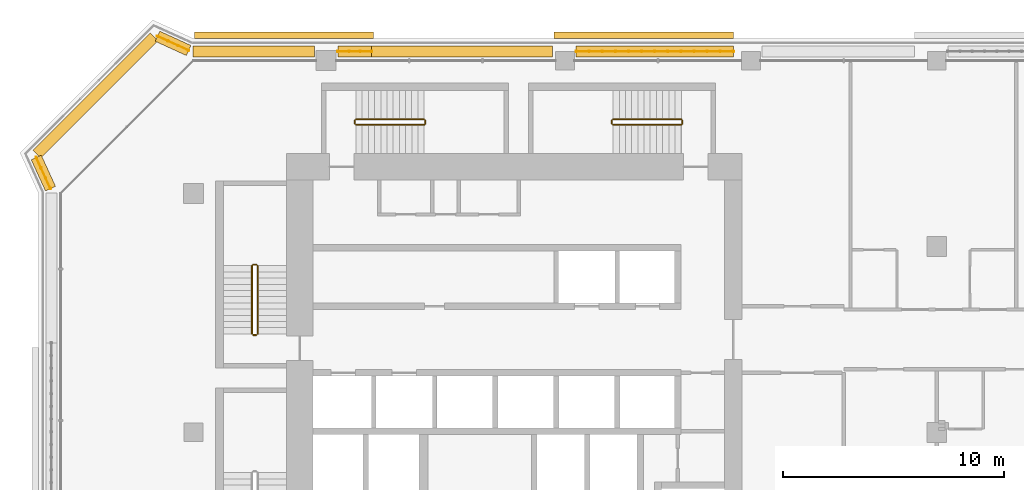
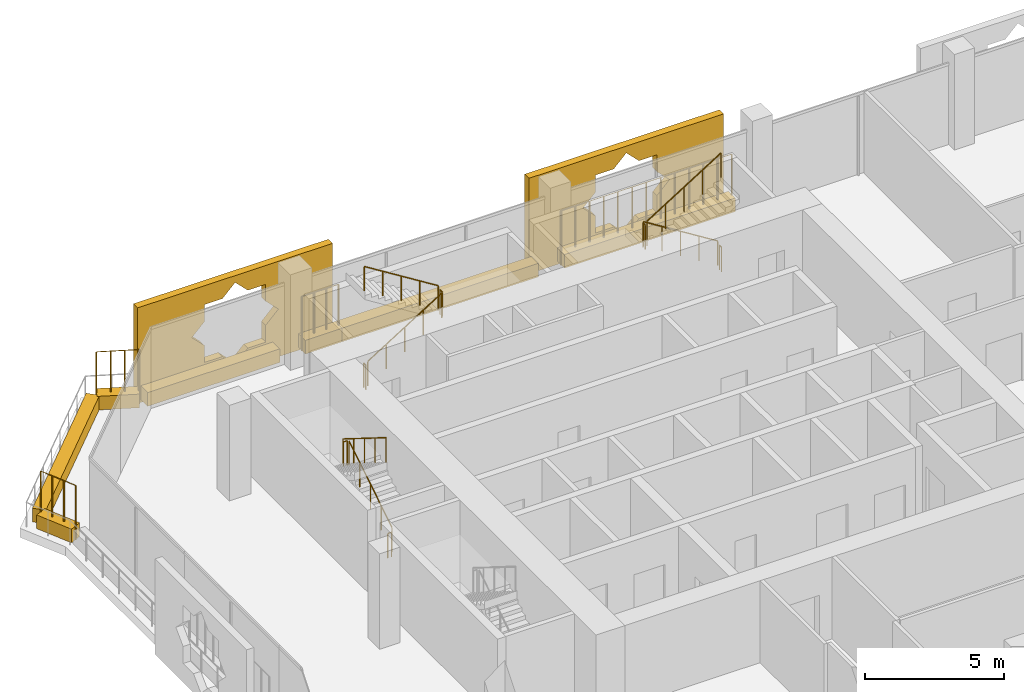
# One storey, part 21 of 23: 16 railings, 9 coverings.
"""IFC4 building model written with IfcOpenShell, lengths in metres."""

from ifc_helpers import new_model, si_unit, direction, frame, origin, origin_2d, place, context, subcontext, project, spatial, polyline, rectangle, circle, outline, extrude, material, material_profile, profile_set, type_object, element, save


model = new_model("IFC4")

# Units and contexts
model_context = context("Model", 3, precision=1e-05, world=origin(), true_north=direction((0.0, 1.0)))
body_context = subcontext(model_context, "Body", "Model", "MODEL_VIEW")
ifc_project = project(units=[si_unit("LENGTHUNIT", "METRE"), si_unit("AREAUNIT", "SQUARE_METRE"), si_unit("VOLUMEUNIT", "CUBIC_METRE"), si_unit("PLANEANGLEUNIT", "RADIAN"), si_unit("MASSUNIT", "GRAM", prefix="KILO")], contexts=[model_context])

# Site, building, storey
site_placement = place(None, origin())
site = spatial("IfcSite", under=ifc_project, at=site_placement, CompositionType="ELEMENT")
building_placement = place(site_placement, origin())
building = spatial("IfcBuilding", under=site, at=building_placement, Name="Kawkab Arch Medical Tower", CompositionType="ELEMENT")
storey_placement = place(building_placement, frame((0.0, 0.0, 247.39990234375)))
storey = spatial("IfcBuildingStorey", under=building, at=storey_placement, Name="L57", CompositionType="ELEMENT", Elevation=247.39990234375)

# Coverings
ifc_material_1 = material(Name="Bronze anodised aluminium mashrabiya panel, eight-point star pattern", Category="aluminium")
ifc_material_profile_1 = material_profile(ifc_material_1, outline(polyline([(-4.050048828125, -2.10009765625), (4.050048828125, -2.10009765625), (4.050048828125, 2.10009765625), (-4.050048828125, 2.10009765625), (-4.050048828125, -2.10009765625)]), holes=[polyline([(1.800048828125, 0.0), (1.272705078125, 0.527099609375), (1.272705078125, 1.272705078125), (0.527099609375, 1.272705078125), (0.0, 1.800048828125), (-0.527099609375, 1.272705078125), (-1.272705078125, 1.272705078125), (-1.272705078125, 0.527099609375), (-1.800048828125, 0.0), (-1.272705078125, -0.527099609375), (-1.272705078125, -1.272705078125), (-0.527099609375, -1.272705078125), (0.0, -1.800048828125), (0.527099609375, -1.272705078125), (1.272705078125, -1.272705078125), (1.272705078125, -0.527099609375), (1.800048828125, 0.0)])]), Name="Mashrabiya panel 8100x4200")
ifc_profile_set_1 = profile_set([ifc_material_profile_1], Name="Bronze anodised aluminium mashrabiya panel, eight-point star pattern")
covering_type_1 = type_object("IfcCoveringType", Name="Mashrabiya panel 8100 x 4200", PredefinedType="USERDEFINED", material=ifc_profile_set_1)
for number, where, z_axis, x_axis, name in (
    (1, (4.089599609375, 1.0, 1.7001953125), (0.0, 1.0, 0.0), (-1.0, 0.0, 0.0), "Mashrabiya panel L57.LOG-01-01.5"),
    (2, (20.3564453125, 1.0, 1.7001953125), (0.0, 1.0, 0.0), (-1.0, 0.0, 0.0), "Mashrabiya panel L57.LOG-01-01.6"),
):
    element("IfcCovering", number, at=place(storey_placement, frame(where, z_axis=z_axis, x_axis=x_axis)), inside=storey, type_object=covering_type_1, Name=name, ObjectType="SCREEN", PredefinedType="USERDEFINED", context=body_context, shape_type="SweptSolid", body=[
        extrude(outline(polyline([(-4.050048828125, -2.10009765625), (4.050048828125, -2.10009765625), (4.050048828125, 2.10009765625), (-4.050048828125, 2.10009765625), (-4.050048828125, -2.10009765625)]), holes=[polyline([(1.800048828125, 0.0), (1.272705078125, 0.527099609375), (1.272705078125, 1.272705078125), (0.527099609375, 1.272705078125), (0.0, 1.800048828125), (-0.527099609375, 1.272705078125), (-1.272705078125, 1.272705078125), (-1.272705078125, 0.527099609375), (-1.800048828125, 0.0), (-1.272705078125, -0.527099609375), (-1.272705078125, -1.272705078125), (-0.527099609375, -1.272705078125), (0.0, -1.800048828125), (0.527099609375, -1.272705078125), (1.272705078125, -1.272705078125), (1.272705078125, -0.527099609375), (1.800048828125, 0.0)])]), origin(), (0.0, 0.0, 1.0), 0.300048828125),
    ])
ifc_material_2 = material(Name="Planting soil in a precast trough", Category="concrete")
ifc_material_profile_2 = material_profile(ifc_material_2, rectangle(XDim=0.5, YDim=0.60009765625, at=origin_2d()), Name="Trough 500x600")
ifc_profile_set_2 = profile_set([ifc_material_profile_2], Name="Planting soil in a precast trough")
covering_type_2 = type_object("IfcCoveringType", Name="Planter trough 500 x 600", PredefinedType="USERDEFINED", material=ifc_profile_set_2)
covering_1_placement = place(storey_placement, frame((-6.4609375, -5.782958984375, 0.300048828125), z_axis=(-0.415363486165, 0.909655525109, 0.0), x_axis=(-0.909655525109, -0.415363486165, 0.0)))
element("IfcCovering", 3, at=covering_1_placement, inside=storey, type_object=covering_type_2, Name="Planter L57.LOG-01-01.13", ObjectType="PLANTER", PredefinedType="USERDEFINED", context=body_context, shape_type="SweptSolid", body=[
    extrude(rectangle(XDim=0.5, YDim=0.60009765625, at=origin_2d()), origin(), (0.0, 0.0, 1.0), 1.54345703125),
])
covering_2_placement = place(storey_placement, frame((-7.072998046875, -4.217041015625, 0.300048828125), z_axis=(0.707106781187, 0.707106781187, 0.0), x_axis=(-0.707106781187, 0.707106781187, 0.0)))
element("IfcCovering", 4, at=covering_2_placement, inside=storey, type_object=covering_type_2, Name="Planter L57.LOG-01-01.14", ObjectType="PLANTER", PredefinedType="USERDEFINED", context=body_context, shape_type="SweptSolid", body=[
    extrude(rectangle(XDim=0.5, YDim=0.60009765625, at=origin_2d()), origin(), (0.0, 0.0, 1.0), 7.481201171875),
])
covering_3_placement = place(storey_placement, frame((-1.62109375, 1.10205078125, 0.300048828125), z_axis=(0.909655525109, -0.415363486165, 0.0), x_axis=(0.415363486165, 0.909655525109, 0.0)))
element("IfcCovering", 5, at=covering_3_placement, inside=storey, type_object=covering_type_2, Name="Planter L57.LOG-01-01.15", ObjectType="PLANTER", PredefinedType="USERDEFINED", context=body_context, shape_type="SweptSolid", body=[
    extrude(rectangle(XDim=0.5, YDim=0.60009765625, at=origin_2d()), origin(), (0.0, 0.0, 1.0), 1.54345703125),
])
covering_4_placement = place(storey_placement, frame((-0.02587890625, 0.419921875, 0.300048828125), z_axis=(1.0, 0.0, 0.0), x_axis=(0.0, 1.0, 0.0)))
element("IfcCovering", 6, at=covering_4_placement, inside=storey, type_object=covering_type_2, Name="Planter L57.LOG-01-01.16", ObjectType="PLANTER", PredefinedType="USERDEFINED", context=body_context, shape_type="SweptSolid", body=[
    extrude(rectangle(XDim=0.5, YDim=0.60009765625, at=origin_2d()), origin(), (0.0, 0.0, 1.0), 5.495849609375),
])
covering_5_placement = place(storey_placement, frame((6.530029296875, 0.419921875, 0.300048828125), z_axis=(1.0, 0.0, 0.0), x_axis=(0.0, 1.0, 0.0)))
element("IfcCovering", 7, at=covering_5_placement, inside=storey, type_object=covering_type_2, Name="Planter L57.LOG-01-01.17", ObjectType="PLANTER", PredefinedType="USERDEFINED", context=body_context, shape_type="SweptSolid", body=[
    extrude(rectangle(XDim=0.5, YDim=0.60009765625, at=origin_2d()), origin(), (0.0, 0.0, 1.0), 1.52294921875),
])
covering_6_placement = place(storey_placement, frame((8.052978515625, 0.419921875, 0.300048828125), z_axis=(1.0, 0.0, 0.0), x_axis=(0.0, 1.0, 0.0)))
element("IfcCovering", 8, at=covering_6_placement, inside=storey, type_object=covering_type_2, Name="Planter L57.LOG-01-01.18", ObjectType="PLANTER", PredefinedType="USERDEFINED", context=body_context, shape_type="SweptSolid", body=[
    extrude(rectangle(XDim=0.5, YDim=0.60009765625, at=origin_2d()), origin(), (0.0, 0.0, 1.0), 8.178955078125),
])
covering_7_placement = place(storey_placement, frame((17.304931640625, 0.419921875, 0.300048828125), z_axis=(1.0, 0.0, 0.0), x_axis=(0.0, 1.0, 0.0)))
element("IfcCovering", 9, at=covering_7_placement, inside=storey, type_object=covering_type_2, Name="Planter L57.LOG-01-01.19", ObjectType="PLANTER", PredefinedType="USERDEFINED", context=body_context, shape_type="SweptSolid", body=[
    extrude(rectangle(XDim=0.5, YDim=0.60009765625, at=origin_2d()), origin(), (0.0, 0.0, 1.0), 7.10595703125),
])

# Railings
ifc_material_3 = material(Name="Bronze anodised aluminium trellis for climbing plants", Category="aluminium")
railing_type_1 = type_object("IfcRailingType", Name="Planting trellis 2400", PredefinedType="USERDEFINED", material=ifc_material_3)
railing_1_placement = place(storey_placement, frame((-6.4609375, -5.782958984375, 0.0)))
element("IfcRailing", 10, at=railing_1_placement, inside=storey, type_object=railing_type_1, Name="Planting trellis L57.LOG-01-01.13", ObjectType="TRELLIS", PredefinedType="USERDEFINED", context=body_context, shape_type="SweptSolid", body=[
    extrude(circle(Radius=0.01513671875, at=origin_2d()), frame((0.0, 0.0, 2.384765625), z_axis=(-0.415363486165, 0.909655525109, 0.0), x_axis=(-0.909655525109, -0.415363486165, 0.0)), (0.0, 0.0, 1.0), 1.54345703125),
    extrude(circle(Radius=0.030029296875, at=origin_2d()), origin(), (0.0, 0.0, 1.0), 2.369873046875),
    extrude(circle(Radius=0.030029296875, at=origin_2d()), frame((-0.213623046875, 0.468017578125, 0.0)), (0.0, 0.0, 1.0), 2.369873046875),
    extrude(circle(Radius=0.030029296875, at=origin_2d()), frame((-0.427490234375, 0.93603515625, 0.0)), (0.0, 0.0, 1.0), 2.369873046875),
    extrude(circle(Radius=0.030029296875, at=origin_2d()), frame((-0.64111328125, 1.404052734375, 0.0)), (0.0, 0.0, 1.0), 2.369873046875),
])
railing_2_placement = place(storey_placement, frame((-1.62109375, 1.10205078125, 0.0)))
element("IfcRailing", 11, at=railing_2_placement, inside=storey, type_object=railing_type_1, Name="Planting trellis L57.LOG-01-01.15", ObjectType="TRELLIS", PredefinedType="USERDEFINED", context=body_context, shape_type="SweptSolid", body=[
    extrude(circle(Radius=0.01513671875, at=origin_2d()), frame((0.0, 0.0, 2.384765625), z_axis=(0.909655525109, -0.415363486165, 0.0), x_axis=(0.415363486165, 0.909655525109, 0.0)), (0.0, 0.0, 1.0), 1.54345703125),
    extrude(circle(Radius=0.030029296875, at=origin_2d()), origin(), (0.0, 0.0, 1.0), 2.369873046875),
    extrude(circle(Radius=0.030029296875, at=origin_2d()), frame((0.468017578125, -0.213623046875, 0.0)), (0.0, 0.0, 1.0), 2.369873046875),
    extrude(circle(Radius=0.030029296875, at=origin_2d()), frame((0.93603515625, -0.427490234375, 0.0)), (0.0, 0.0, 1.0), 2.369873046875),
    extrude(circle(Radius=0.030029296875, at=origin_2d()), frame((1.404052734375, -0.64111328125, 0.0)), (0.0, 0.0, 1.0), 2.369873046875),
])
railing_3_placement = place(storey_placement, frame((6.530029296875, 0.419921875, 0.0)))
element("IfcRailing", 12, at=railing_3_placement, inside=storey, type_object=railing_type_1, Name="Planting trellis L57.LOG-01-01.17", ObjectType="TRELLIS", PredefinedType="USERDEFINED", context=body_context, shape_type="SweptSolid", body=[
    extrude(circle(Radius=0.01513671875, at=origin_2d()), frame((0.0, 0.0, 2.384765625), z_axis=(1.0, 0.0, 0.0), x_axis=(0.0, 1.0, 0.0)), (0.0, 0.0, 1.0), 1.52294921875),
    extrude(circle(Radius=0.030029296875, at=origin_2d()), origin(), (0.0, 0.0, 1.0), 2.369873046875),
    extrude(circle(Radius=0.030029296875, at=origin_2d()), frame((0.507568359375, 0.0, 0.0)), (0.0, 0.0, 1.0), 2.369873046875),
    extrude(circle(Radius=0.030029296875, at=origin_2d()), frame((1.015380859375, 0.0, 0.0)), (0.0, 0.0, 1.0), 2.369873046875),
    extrude(circle(Radius=0.030029296875, at=origin_2d()), frame((1.52294921875, 0.0, 0.0)), (0.0, 0.0, 1.0), 2.369873046875),
])
railing_4_placement = place(storey_placement, frame((17.304931640625, 0.419921875, 0.0)))
element("IfcRailing", 13, at=railing_4_placement, inside=storey, type_object=railing_type_1, Name="Planting trellis L57.LOG-01-01.19", ObjectType="TRELLIS", PredefinedType="USERDEFINED", context=body_context, shape_type="SweptSolid", body=[
    extrude(circle(Radius=0.01513671875, at=origin_2d()), frame((0.0, 0.0, 2.384765625), z_axis=(1.0, 0.0, 0.0), x_axis=(0.0, 1.0, 0.0)), (0.0, 0.0, 1.0), 7.10595703125),
    extrude(circle(Radius=0.030029296875, at=origin_2d()), origin(), (0.0, 0.0, 1.0), 2.369873046875),
    extrude(circle(Radius=0.030029296875, at=origin_2d()), frame((0.59228515625, 0.0, 0.0)), (0.0, 0.0, 1.0), 2.369873046875),
    extrude(circle(Radius=0.030029296875, at=origin_2d()), frame((1.184326171875, 0.0, 0.0)), (0.0, 0.0, 1.0), 2.369873046875),
    extrude(circle(Radius=0.030029296875, at=origin_2d()), frame((1.7763671875, 0.0, 0.0)), (0.0, 0.0, 1.0), 2.369873046875),
    extrude(circle(Radius=0.030029296875, at=origin_2d()), frame((2.36865234375, 0.0, 0.0)), (0.0, 0.0, 1.0), 2.369873046875),
    extrude(circle(Radius=0.030029296875, at=origin_2d()), frame((2.9609375, 0.0, 0.0)), (0.0, 0.0, 1.0), 2.369873046875),
    extrude(circle(Radius=0.030029296875, at=origin_2d()), frame((3.552978515625, 0.0, 0.0)), (0.0, 0.0, 1.0), 2.369873046875),
    extrude(circle(Radius=0.030029296875, at=origin_2d()), frame((4.14501953125, 0.0, 0.0)), (0.0, 0.0, 1.0), 2.369873046875),
    extrude(circle(Radius=0.030029296875, at=origin_2d()), frame((4.7373046875, 0.0, 0.0)), (0.0, 0.0, 1.0), 2.369873046875),
    extrude(circle(Radius=0.030029296875, at=origin_2d()), frame((5.32958984375, 0.0, 0.0)), (0.0, 0.0, 1.0), 2.369873046875),
    extrude(circle(Radius=0.030029296875, at=origin_2d()), frame((5.921630859375, 0.0, 0.0)), (0.0, 0.0, 1.0), 2.369873046875),
    extrude(circle(Radius=0.030029296875, at=origin_2d()), frame((6.513671875, 0.0, 0.0)), (0.0, 0.0, 1.0), 2.369873046875),
    extrude(circle(Radius=0.030029296875, at=origin_2d()), frame((7.10595703125, 0.0, 0.0)), (0.0, 0.0, 1.0), 2.369873046875),
])
ifc_material_4 = material(Name="Stainless steel", Category="steel")
railing_type_2 = type_object("IfcRailingType", Name="Stair guard 1100", PredefinedType="GUARDRAIL", material=ifc_material_4)
railing_5_placement = place(storey_placement, frame((2.89990234375, -12.35009765625, 0.175048828125)))
element("IfcRailing", 14, at=railing_5_placement, inside=storey, type_object=railing_type_2, Name="L57 ST1 stair guard 1", PredefinedType="GUARDRAIL", context=body_context, shape_type="SweptSolid", body=[
    extrude(circle(Radius=0.02392578125, at=origin_2d()), frame((0.0, 0.0, 1.076171875), z_axis=(0.0, 0.847998304005, 0.529998940003), x_axis=(-1.0, 0.0, 0.0)), (0.0, 0.0, 1.0), 3.632080078125),
    extrude(circle(Radius=0.02099609375, at=origin_2d()), origin(), (0.0, 0.0, 1.0), 1.052001953125),
    extrude(circle(Radius=0.02099609375, at=origin_2d()), frame((0.0, 0.77001953125, 0.481201171875)), (0.0, 0.0, 1.0), 1.052001953125),
    extrude(circle(Radius=0.02099609375, at=origin_2d()), frame((0.0, 1.5400390625, 0.96240234375)), (0.0, 0.0, 1.0), 1.052001953125),
    extrude(circle(Radius=0.02099609375, at=origin_2d()), frame((0.0, 2.31005859375, 1.44384765625)), (0.0, 0.0, 1.0), 1.052001953125),
    extrude(circle(Radius=0.02099609375, at=origin_2d()), frame((0.0, 3.080078125, 1.925048828125)), (0.0, 0.0, 1.0), 1.052001953125),
])
railing_6_placement = place(storey_placement, frame((2.85009765625, -9.219970703125, 2.10009765625)))
element("IfcRailing", 15, at=railing_6_placement, inside=storey, type_object=railing_type_2, Name="L57 ST1 stair guard 2", PredefinedType="GUARDRAIL", context=body_context, shape_type="SweptSolid", body=[
    extrude(circle(Radius=0.02392578125, at=origin_2d()), frame((0.0, 0.0, 1.076171875), z_axis=(-1.0, 0.0, 0.0), x_axis=(0.0, -1.0, 0.0)), (0.0, 0.0, 1.0), 0.150146484375),
    extrude(circle(Radius=0.02099609375, at=origin_2d()), origin(), (0.0, 0.0, 1.0), 1.052001953125),
    extrude(circle(Radius=0.02099609375, at=origin_2d()), frame((-0.150146484375, 0.0, 0.0)), (0.0, 0.0, 1.0), 1.052001953125),
])
railing_7_placement = place(storey_placement, frame((2.64990234375, -9.27001953125, 2.275146484375)))
element("IfcRailing", 16, at=railing_7_placement, inside=storey, type_object=railing_type_2, Name="L57 ST1 stair guard 3", PredefinedType="GUARDRAIL", context=body_context, shape_type="SweptSolid", body=[
    extrude(circle(Radius=0.02392578125, at=origin_2d()), frame((0.0, 0.0, 1.076171875), z_axis=(0.0, -0.847998304005, 0.529998940003), x_axis=(1.0, 0.0, 0.0)), (0.0, 0.0, 1.0), 3.632080078125),
    extrude(circle(Radius=0.02099609375, at=origin_2d()), origin(), (0.0, 0.0, 1.0), 1.052001953125),
    extrude(circle(Radius=0.02099609375, at=origin_2d()), frame((0.0, -0.77001953125, 0.481201171875)), (0.0, 0.0, 1.0), 1.052001953125),
    extrude(circle(Radius=0.02099609375, at=origin_2d()), frame((0.0, -1.5400390625, 0.96240234375)), (0.0, 0.0, 1.0), 1.052001953125),
    extrude(circle(Radius=0.02099609375, at=origin_2d()), frame((0.0, -2.31005859375, 1.44384765625)), (0.0, 0.0, 1.0), 1.052001953125),
    extrude(circle(Radius=0.02099609375, at=origin_2d()), frame((0.0, -3.080078125, 1.925048828125)), (0.0, 0.0, 1.0), 1.052001953125),
])
railing_8_placement = place(storey_placement, frame((2.85009765625, -12.39990234375, 0.0)))
element("IfcRailing", 17, at=railing_8_placement, inside=storey, type_object=railing_type_2, Name="L57 ST1 stair guard 4", PredefinedType="GUARDRAIL", context=body_context, shape_type="SweptSolid", body=[
    extrude(circle(Radius=0.02392578125, at=origin_2d()), frame((0.0, 0.0, 1.076171875), z_axis=(-1.0, 0.0, 0.0), x_axis=(0.0, -1.0, 0.0)), (0.0, 0.0, 1.0), 0.150146484375),
    extrude(circle(Radius=0.02099609375, at=origin_2d()), origin(), (0.0, 0.0, 1.0), 1.052001953125),
    extrude(circle(Radius=0.02099609375, at=origin_2d()), frame((-0.150146484375, 0.0, 0.0)), (0.0, 0.0, 1.0), 1.052001953125),
])
railing_9_placement = place(storey_placement, frame((7.35009765625, -2.89990234375, 0.175048828125)))
element("IfcRailing", 18, at=railing_9_placement, inside=storey, type_object=railing_type_2, Name="L57 ST3 stair guard 1", PredefinedType="GUARDRAIL", context=body_context, shape_type="SweptSolid", body=[
    extrude(circle(Radius=0.02392578125, at=origin_2d()), frame((0.0, 0.0, 1.076171875), z_axis=(0.847979421464, 0.0, 0.530029150871), x_axis=(0.0, 1.0, 0.0)), (0.0, 0.0, 1.0), 3.632080078125),
    extrude(circle(Radius=0.02099609375, at=origin_2d()), origin(), (0.0, 0.0, 1.0), 1.052001953125),
    extrude(circle(Radius=0.02099609375, at=origin_2d()), frame((0.77001953125, 0.0, 0.481201171875)), (0.0, 0.0, 1.0), 1.052001953125),
    extrude(circle(Radius=0.02099609375, at=origin_2d()), frame((1.5400390625, 0.0, 0.96240234375)), (0.0, 0.0, 1.0), 1.052001953125),
    extrude(circle(Radius=0.02099609375, at=origin_2d()), frame((2.309814453125, 0.0, 1.44384765625)), (0.0, 0.0, 1.0), 1.052001953125),
    extrude(circle(Radius=0.02099609375, at=origin_2d()), frame((3.079833984375, 0.0, 1.925048828125)), (0.0, 0.0, 1.0), 1.052001953125),
])
railing_10_placement = place(storey_placement, frame((10.47998046875, -2.85009765625, 2.10009765625)))
element("IfcRailing", 19, at=railing_10_placement, inside=storey, type_object=railing_type_2, Name="L57 ST3 stair guard 2", PredefinedType="GUARDRAIL", context=body_context, shape_type="SweptSolid", body=[
    extrude(circle(Radius=0.02392578125, at=origin_2d()), frame((0.0, 0.0, 1.076171875), z_axis=(0.0, 1.0, 0.0), x_axis=(-1.0, 0.0, 0.0)), (0.0, 0.0, 1.0), 0.150146484375),
    extrude(circle(Radius=0.02099609375, at=origin_2d()), origin(), (0.0, 0.0, 1.0), 1.052001953125),
    extrude(circle(Radius=0.02099609375, at=origin_2d()), frame((0.0, 0.150146484375, 0.0)), (0.0, 0.0, 1.0), 1.052001953125),
])
railing_11_placement = place(storey_placement, frame((10.429931640625, -2.64990234375, 2.275146484375)))
element("IfcRailing", 20, at=railing_11_placement, inside=storey, type_object=railing_type_2, Name="L57 ST3 stair guard 3", PredefinedType="GUARDRAIL", context=body_context, shape_type="SweptSolid", body=[
    extrude(circle(Radius=0.02392578125, at=origin_2d()), frame((0.0, 0.0, 1.076171875), z_axis=(-0.847979421464, 0.0, 0.530029150871), x_axis=(0.0, -1.0, 0.0)), (0.0, 0.0, 1.0), 3.632080078125),
    extrude(circle(Radius=0.02099609375, at=origin_2d()), origin(), (0.0, 0.0, 1.0), 1.052001953125),
    extrude(circle(Radius=0.02099609375, at=origin_2d()), frame((-0.77001953125, 0.0, 0.481201171875)), (0.0, 0.0, 1.0), 1.052001953125),
    extrude(circle(Radius=0.02099609375, at=origin_2d()), frame((-1.5400390625, 0.0, 0.96240234375)), (0.0, 0.0, 1.0), 1.052001953125),
    extrude(circle(Radius=0.02099609375, at=origin_2d()), frame((-2.309814453125, 0.0, 1.44384765625)), (0.0, 0.0, 1.0), 1.052001953125),
    extrude(circle(Radius=0.02099609375, at=origin_2d()), frame((-3.079833984375, 0.0, 1.925048828125)), (0.0, 0.0, 1.0), 1.052001953125),
])
railing_12_placement = place(storey_placement, frame((7.300048828125, -2.85009765625, 0.0)))
element("IfcRailing", 21, at=railing_12_placement, inside=storey, type_object=railing_type_2, Name="L57 ST3 stair guard 4", PredefinedType="GUARDRAIL", context=body_context, shape_type="SweptSolid", body=[
    extrude(circle(Radius=0.02392578125, at=origin_2d()), frame((0.0, 0.0, 1.076171875), z_axis=(0.0, 1.0, 0.0), x_axis=(-1.0, 0.0, 0.0)), (0.0, 0.0, 1.0), 0.150146484375),
    extrude(circle(Radius=0.02099609375, at=origin_2d()), origin(), (0.0, 0.0, 1.0), 1.052001953125),
    extrude(circle(Radius=0.02099609375, at=origin_2d()), frame((0.0, 0.150146484375, 0.0)), (0.0, 0.0, 1.0), 1.052001953125),
])
railing_13_placement = place(storey_placement, frame((22.050048828125, -2.64990234375, 0.175048828125)))
element("IfcRailing", 22, at=railing_13_placement, inside=storey, type_object=railing_type_2, Name="L57 ST4 stair guard 1", PredefinedType="GUARDRAIL", context=body_context, shape_type="SweptSolid", body=[
    extrude(circle(Radius=0.02392578125, at=origin_2d()), frame((0.0, 0.0, 1.076171875), z_axis=(-0.847998304005, 0.0, 0.529998940003), x_axis=(0.0, -1.0, 0.0)), (0.0, 0.0, 1.0), 3.632080078125),
    extrude(circle(Radius=0.02099609375, at=origin_2d()), origin(), (0.0, 0.0, 1.0), 1.052001953125),
    extrude(circle(Radius=0.02099609375, at=origin_2d()), frame((-0.77001953125, 0.0, 0.481201171875)), (0.0, 0.0, 1.0), 1.052001953125),
    extrude(circle(Radius=0.02099609375, at=origin_2d()), frame((-1.5400390625, 0.0, 0.96240234375)), (0.0, 0.0, 1.0), 1.052001953125),
    extrude(circle(Radius=0.02099609375, at=origin_2d()), frame((-2.31005859375, 0.0, 1.44384765625)), (0.0, 0.0, 1.0), 1.052001953125),
    extrude(circle(Radius=0.02099609375, at=origin_2d()), frame((-3.080078125, 0.0, 1.925048828125)), (0.0, 0.0, 1.0), 1.052001953125),
])
railing_14_placement = place(storey_placement, frame((18.919921875, -2.699951171875, 2.10009765625)))
element("IfcRailing", 23, at=railing_14_placement, inside=storey, type_object=railing_type_2, Name="L57 ST4 stair guard 2", PredefinedType="GUARDRAIL", context=body_context, shape_type="SweptSolid", body=[
    extrude(circle(Radius=0.02392578125, at=origin_2d()), frame((0.0, 0.0, 1.076171875), z_axis=(0.0, -1.0, 0.0), x_axis=(1.0, 0.0, 0.0)), (0.0, 0.0, 1.0), 0.150146484375),
    extrude(circle(Radius=0.02099609375, at=origin_2d()), origin(), (0.0, 0.0, 1.0), 1.052001953125),
    extrude(circle(Radius=0.02099609375, at=origin_2d()), frame((0.0, -0.150146484375, 0.0)), (0.0, 0.0, 1.0), 1.052001953125),
])
railing_15_placement = place(storey_placement, frame((18.969970703125, -2.89990234375, 2.275146484375)))
element("IfcRailing", 24, at=railing_15_placement, inside=storey, type_object=railing_type_2, Name="L57 ST4 stair guard 3", PredefinedType="GUARDRAIL", context=body_context, shape_type="SweptSolid", body=[
    extrude(circle(Radius=0.02392578125, at=origin_2d()), frame((0.0, 0.0, 1.076171875), z_axis=(0.847998304005, 0.0, 0.529998940003), x_axis=(0.0, 1.0, 0.0)), (0.0, 0.0, 1.0), 3.632080078125),
    extrude(circle(Radius=0.02099609375, at=origin_2d()), origin(), (0.0, 0.0, 1.0), 1.052001953125),
    extrude(circle(Radius=0.02099609375, at=origin_2d()), frame((0.77001953125, 0.0, 0.481201171875)), (0.0, 0.0, 1.0), 1.052001953125),
    extrude(circle(Radius=0.02099609375, at=origin_2d()), frame((1.5400390625, 0.0, 0.96240234375)), (0.0, 0.0, 1.0), 1.052001953125),
    extrude(circle(Radius=0.02099609375, at=origin_2d()), frame((2.31005859375, 0.0, 1.44384765625)), (0.0, 0.0, 1.0), 1.052001953125),
    extrude(circle(Radius=0.02099609375, at=origin_2d()), frame((3.080078125, 0.0, 1.925048828125)), (0.0, 0.0, 1.0), 1.052001953125),
])
railing_16_placement = place(storey_placement, frame((22.10009765625, -2.699951171875, 0.0)))
element("IfcRailing", 25, at=railing_16_placement, inside=storey, type_object=railing_type_2, Name="L57 ST4 stair guard 4", PredefinedType="GUARDRAIL", context=body_context, shape_type="SweptSolid", body=[
    extrude(circle(Radius=0.02392578125, at=origin_2d()), frame((0.0, 0.0, 1.076171875), z_axis=(0.0, -1.0, 0.0), x_axis=(1.0, 0.0, 0.0)), (0.0, 0.0, 1.0), 0.150146484375),
    extrude(circle(Radius=0.02099609375, at=origin_2d()), origin(), (0.0, 0.0, 1.0), 1.052001953125),
    extrude(circle(Radius=0.02099609375, at=origin_2d()), frame((0.0, -0.150146484375, 0.0)), (0.0, 0.0, 1.0), 1.052001953125),
])

save(model, "model.ifc")
